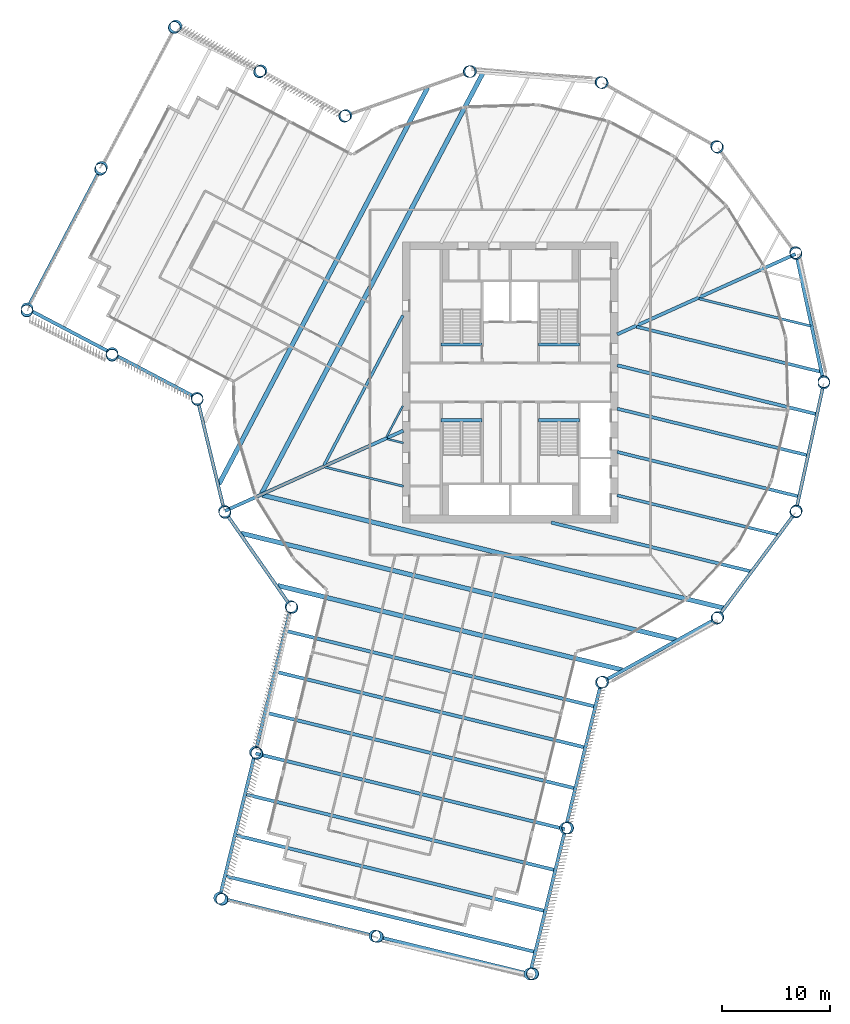
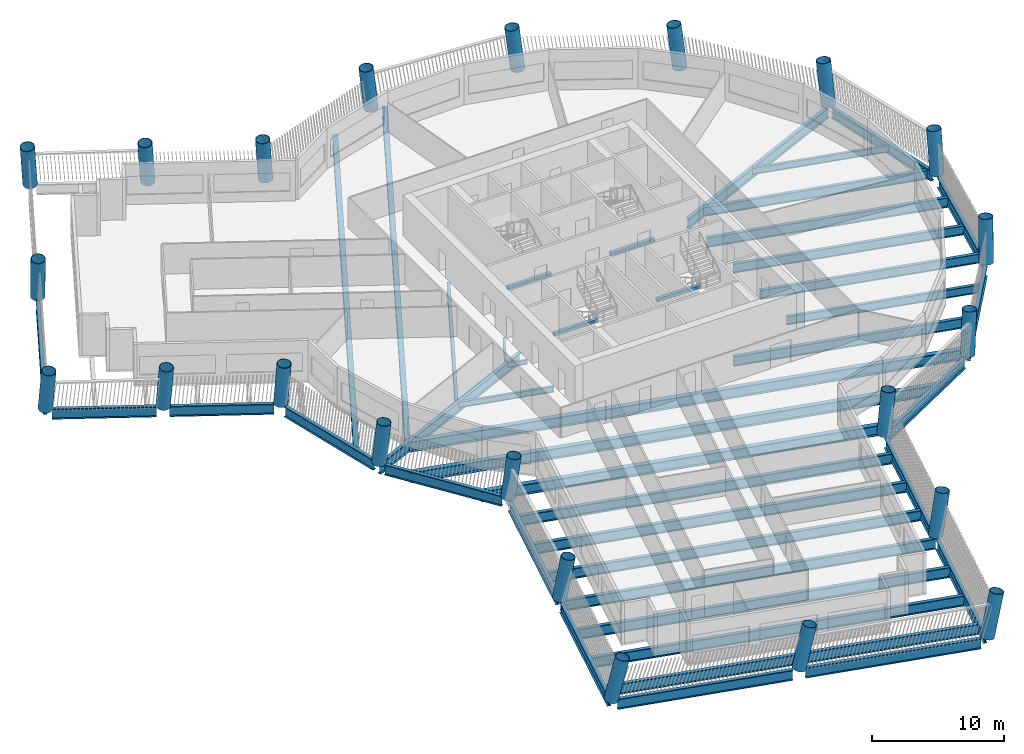
# One storey, part 1 of 15: 44 beams, 22 columns.
"""IFC4 building model written with IfcOpenShell, lengths in metres."""

from ifc_helpers import new_model, si_unit, direction, frame, origin, origin_2d, place, context, subcontext, project, spatial, rectangle, hollow_circle, i_section, extrude, material, material_profile, profile_set, type_object, element, save


model = new_model("IFC4")

# Units and contexts
model_context = context("Model", 3, precision=1e-05, world=origin(), true_north=direction((0.0, 1.0)))
body_context = subcontext(model_context, "Body", "Model", "MODEL_VIEW")
ifc_project = project(units=[si_unit("LENGTHUNIT", "METRE"), si_unit("AREAUNIT", "SQUARE_METRE"), si_unit("VOLUMEUNIT", "CUBIC_METRE"), si_unit("PLANEANGLEUNIT", "RADIAN"), si_unit("MASSUNIT", "GRAM", prefix="KILO")], contexts=[model_context])

# Site, building, storey
site_placement = place(None, origin())
site = spatial("IfcSite", under=ifc_project, at=site_placement, CompositionType="ELEMENT")
building_placement = place(site_placement, origin())
building = spatial("IfcBuilding", under=site, at=building_placement, Name="Tarsis Ring Headquarters", CompositionType="ELEMENT")
storey_placement = place(building_placement, frame((0.0, 0.0, 167.10009765625)))
storey = spatial("IfcBuildingStorey", under=building, at=storey_placement, Name="L38", CompositionType="ELEMENT", Elevation=167.10009765625)

# Columns
ifc_material_1 = material(Name="Structural steel S355", Category="steel")
ifc_material_profile_1 = material_profile(ifc_material_1, hollow_circle(Radius=0.558837890625, WallThickness=0.044921875, at=origin_2d()), Name="CHS 1118x45")
ifc_profile_set_1 = profile_set([ifc_material_profile_1], Name="Structural steel S355")
column_type = type_object("IfcColumnType", Name="XC Exo column CHS 1118x45", PredefinedType="COLUMN", material=ifc_profile_set_1)
for number, where, z_axis, x_axis, name in (
    (1, (-26.4873046875, -11.92626953125, 0.0009765625), (0.048522950514, -0.105568521823, 0.993227471667), (0.908616445737, 0.417631601458, 0.0), "Exo column XC4 F1"),
    (2, (-20.320556640625, -20.758056640625, 0.0009765625), (0.083670915239, -0.080622681152, 0.99322664142), (0.693868003591, 0.720102210517, 0.0), "Exo column XC4 AK"),
):
    element("IfcColumn", number, at=place(storey_placement, frame(where, z_axis=z_axis, x_axis=x_axis)), inside=storey, type_object=column_type, Name=name, PredefinedType="COLUMN", context=body_context, shape_type="SweptSolid", body=[
        extrude(hollow_circle(Radius=0.558837890625, WallThickness=0.044921875, at=origin_2d()), origin(), (0.0, 0.0, 1.0), 3.924560546875),
    ])
column_1_placement = place(storey_placement, frame((-23.627197265625, -34.26123046875, 0.001220703125), z_axis=(0.136840147335, -0.092791829028, 0.986237522376), x_axis=(0.561236401403, 0.827655545345, 0.0)))
element("IfcColumn", 3, at=column_1_placement, inside=storey, type_object=column_type, Name="Exo column XC4 AI1", PredefinedType="COLUMN", context=body_context, shape_type="SweptSolid", body=[
    extrude(hollow_circle(Radius=0.558837890625, WallThickness=0.044921875, at=origin_2d()), origin(), (0.0, 0.0, 1.0), 3.951904296875),
])
column_2_placement = place(storey_placement, frame((-26.93359375, -47.7646484375, 0.00146484375), z_axis=(0.188674703369, -0.104431815386, 0.976471122074), x_axis=(0.484269349791, 0.874918965878, 0.0)))
element("IfcColumn", 4, at=column_2_placement, inside=storey, type_object=column_type, Name="Exo column XC4 AT1", PredefinedType="COLUMN", context=body_context, shape_type="SweptSolid", body=[
    extrude(hollow_circle(Radius=0.558837890625, WallThickness=0.044921875, at=origin_2d()), origin(), (0.0, 0.0, 1.0), 3.99072265625),
])
column_3_placement = place(storey_placement, frame((-12.558349609375, -51.28466796875, 0.00146484375), z_axis=(0.202403241939, -0.047919871389, 0.97812913952), x_axis=(0.230385630754, 0.973099409692, 0.0)))
element("IfcColumn", 5, at=column_3_placement, inside=storey, type_object=column_type, Name="Exo column XC4 AT2", PredefinedType="COLUMN", context=body_context, shape_type="SweptSolid", body=[
    extrude(hollow_circle(Radius=0.558837890625, WallThickness=0.044921875, at=origin_2d()), origin(), (0.0, 0.0, 1.0), 3.984130859375),
])
column_4_placement = place(storey_placement, frame((1.81689453125, -54.804931640625, 0.00146484375), z_axis=(0.215470672551, 0.008870882317, 0.97647001834), x_axis=(-0.041134943782, 0.999153600004, 0.0)))
element("IfcColumn", 6, at=column_4_placement, inside=storey, type_object=column_type, Name="Exo column XC4 AT3", PredefinedType="COLUMN", context=body_context, shape_type="SweptSolid", body=[
    extrude(hollow_circle(Radius=0.558837890625, WallThickness=0.044921875, at=origin_2d()), origin(), (0.0, 0.0, 1.0), 3.99072265625),
])
column_5_placement = place(storey_placement, frame((5.12353515625, -41.3017578125, 0.001220703125), z_axis=(0.163839355906, 0.021684620635, 0.986248671829), x_axis=(-0.131208719028, 0.99135476599, 0.0)))
element("IfcColumn", 7, at=column_5_placement, inside=storey, type_object=column_type, Name="Exo column XC4 AO1", PredefinedType="COLUMN", context=body_context, shape_type="SweptSolid", body=[
    extrude(hollow_circle(Radius=0.558837890625, WallThickness=0.044921875, at=origin_2d()), origin(), (0.0, 0.0, 1.0), 3.951904296875),
])
for number, where, z_axis, x_axis, name in (
    (8, (8.429931640625, -27.79833984375, 0.0009765625), (0.11097992765, 0.034587914671, 0.99322058568), (-0.297543596917, 0.954708231835, 0.0), "Exo column XC4 AJ"),
    (9, (19.138916015625, -21.852294921875, 0.0009765625), (0.086781366917, 0.077263410545, 0.993226741357), (-0.664961792593, 0.746877375739, 0.0), "Exo column XC4 R1"),
    (10, (26.444580078125, -12.020751953125, 0.0009765625), (0.047278475892, 0.106189945195, 0.993221244868), (-0.91354652467, 0.406734246485, 0.0), "Exo column XC4 R2"),
    (11, (29.048583984375, -0.0517578125, 0.0009765625), (-0.000746504968, 0.116205940011, 0.993224859856), (-0.999979366861, -0.006423850322, 0.0), "Exo column XC4 R3"),
    (12, (26.4873046875, 11.92626953125, 0.0009765625), (-0.048522950514, 0.105568521823, 0.993227471667), (-0.908616445737, -0.417631601458, 0.0), "Exo column XC4 R4"),
    (13, (19.216796875, 21.783935546875, 0.0009765625), (-0.087776622478, 0.076143576126, 0.993225765051), (-0.655276956968, -0.755388714283, 0.0), "Exo column XC4 R5"),
    (14, (8.529296875, 27.76806640625, 0.0009765625), (-0.111353494612, 0.033281631071, 0.993223405016), (-0.28636560092, -0.958120421769, 0.0), "Exo column XC4 R6"),
    (15, (-3.6748046875, 28.815185546875, 0.0009765625), (-0.115148472854, -0.015614406638, 0.993225563256), (0.134372582866, -0.990930880018, 0.0), "Exo column XC4 R7"),
    (16, (-15.225341796875, 24.73876953125, 0.0009765625), (-0.098476373661, -0.061711031378, 0.993224119943), (0.531009001326, -0.847366178527, 0.0), "Exo column XC4 BJ"),
):
    element("IfcColumn", number, at=place(storey_placement, frame(where, z_axis=z_axis, x_axis=x_axis)), inside=storey, type_object=column_type, Name=name, PredefinedType="COLUMN", context=body_context, shape_type="SweptSolid", body=[
        extrude(hollow_circle(Radius=0.558837890625, WallThickness=0.044921875, at=origin_2d()), origin(), (0.0, 0.0, 1.0), 3.924560546875),
    ])
column_6_placement = place(storey_placement, frame((-23.10302734375, 28.885009765625, 0.0009765625), z_axis=(-0.11436559003, -0.092929786048, 0.989082689507), x_axis=(0.630624279436, -0.776088279892, 0.0)))
element("IfcColumn", 17, at=column_6_placement, inside=storey, type_object=column_type, Name="Exo column XC4 BO1", PredefinedType="COLUMN", context=body_context, shape_type="SweptSolid", body=[
    extrude(hollow_circle(Radius=0.558837890625, WallThickness=0.044921875, at=origin_2d()), origin(), (0.0, 0.0, 1.0), 3.940673828125),
])
column_7_placement = place(storey_placement, frame((-30.980712890625, 33.03125, 0.001220703125), z_axis=(-0.129912478992, -0.12374964792, 0.983772723977), x_axis=(0.68972378522, -0.724072579305, 0.0)))
element("IfcColumn", 18, at=column_7_placement, inside=storey, type_object=column_type, Name="Exo column XC4 BT3", PredefinedType="COLUMN", context=body_context, shape_type="SweptSolid", body=[
    extrude(hollow_circle(Radius=0.558837890625, WallThickness=0.044921875, at=origin_2d()), origin(), (0.0, 0.0, 1.0), 3.96142578125),
])
column_8_placement = place(storey_placement, frame((-37.8740234375, 19.934814453125, 0.001220703125), z_axis=(-0.077964837392, -0.15099128445, 0.985455791069), x_axis=(0.888539453871, -0.458800216778, 0.0)))
element("IfcColumn", 19, at=column_8_placement, inside=storey, type_object=column_type, Name="Exo column XC4 BT2", PredefinedType="COLUMN", context=body_context, shape_type="SweptSolid", body=[
    extrude(hollow_circle(Radius=0.558837890625, WallThickness=0.044921875, at=origin_2d()), origin(), (0.0, 0.0, 1.0), 3.955078125),
])
column_9_placement = place(storey_placement, frame((-44.767333984375, 6.838134765625, 0.001220703125), z_axis=(-0.025698806211, -0.177611413669, 0.983765092435), x_axis=(0.989693775618, -0.14319996684, 0.0)))
element("IfcColumn", 20, at=column_9_placement, inside=storey, type_object=column_type, Name="Exo column XC4 BT1", PredefinedType="COLUMN", context=body_context, shape_type="SweptSolid", body=[
    extrude(hollow_circle(Radius=0.558837890625, WallThickness=0.044921875, at=origin_2d()), origin(), (0.0, 0.0, 1.0), 3.96142578125),
])
column_10_placement = place(storey_placement, frame((-36.8896484375, 2.691650390625, 0.0009765625), z_axis=(-0.009602791773, -0.147015644367, 0.989087552597), x_axis=(0.997873570647, -0.065179268205, 0.0)))
element("IfcColumn", 21, at=column_10_placement, inside=storey, type_object=column_type, Name="Exo column XC4 BI1", PredefinedType="COLUMN", context=body_context, shape_type="SweptSolid", body=[
    extrude(hollow_circle(Radius=0.558837890625, WallThickness=0.044921875, at=origin_2d()), origin(), (0.0, 0.0, 1.0), 3.940673828125),
])
column_11_placement = place(storey_placement, frame((-29.011962890625, -1.45458984375, 0.0009765625), z_axis=(0.006718540538, -0.116019241707, 0.993224242942), x_axis=(0.99832748803, 0.057811993945, 0.0)))
element("IfcColumn", 22, at=column_11_placement, inside=storey, type_object=column_type, Name="Exo column XC4 BK", PredefinedType="COLUMN", context=body_context, shape_type="SweptSolid", body=[
    extrude(hollow_circle(Radius=0.558837890625, WallThickness=0.044921875, at=origin_2d()), origin(), (0.0, 0.0, 1.0), 3.924560546875),
])

# Beams
ifc_material_profile_2 = material_profile(ifc_material_1, i_section(OverallWidth=0.177734375, OverallDepth=0.406494140625, WebThickness=0.0078125, FlangeThickness=0.0126953125, at=origin_2d()), Name="W16x40")
ifc_profile_set_2 = profile_set([ifc_material_profile_2], Name="Structural steel S355")
beam_type_1 = type_object("IfcBeamType", Name="FB Floor beam W16x40", PredefinedType="JOIST", material=ifc_profile_set_2)
beam_1_placement = place(storey_placement, frame((-11.405029296875, -5.237548828125, -0.36328125), z_axis=(0.971292101198, -0.237890004308, 0.0), x_axis=(0.237890004308, 0.971292101198, 0.0)))
element("IfcBeam", 23, at=beam_1_placement, inside=storey, type_object=beam_type_1, Name="Floor beam FB1", PredefinedType="JOIST", context=body_context, shape_type="SweptSolid", body=[
    extrude(i_section(OverallWidth=0.177734375, OverallDepth=0.406494140625, WebThickness=0.0078125, FlangeThickness=0.0126953125, at=origin_2d()), origin(), (0.0, 0.0, 1.0), 1.546630859375),
])
beam_2_placement = place(storey_placement, frame((-9.953369140625, -2.163818359375, -0.36328125), z_axis=(-0.465777098507, -0.884902081875, 0.0), x_axis=(0.884902081875, -0.465777098507, 0.0)))
element("IfcBeam", 24, at=beam_2_placement, inside=storey, type_object=beam_type_1, Name="Floor beam FB1", PredefinedType="JOIST", context=body_context, shape_type="SweptSolid", body=[
    extrude(i_section(OverallWidth=0.177734375, OverallDepth=0.406494140625, WebThickness=0.0078125, FlangeThickness=0.0126953125, at=origin_2d()), origin(), (0.0, 0.0, 1.0), 3.28125),
])
ifc_material_profile_3 = material_profile(ifc_material_1, i_section(OverallWidth=0.209228515625, OverallDepth=0.533447265625, WebThickness=0.01025390625, FlangeThickness=0.015625, at=origin_2d()), Name="W21x62")
ifc_profile_set_3 = profile_set([ifc_material_profile_3], Name="Structural steel S355")
beam_type_2 = type_object("IfcBeamType", Name="FB Floor beam W21x62", PredefinedType="JOIST", material=ifc_profile_set_3)
beam_3_placement = place(storey_placement, frame((-17.18115234375, -7.83837890625, -0.4267578125), z_axis=(0.971304070672, -0.237841128267, 0.0), x_axis=(0.237841128267, 0.971304070672, 0.0)))
element("IfcBeam", 25, at=beam_3_placement, inside=storey, type_object=beam_type_2, Name="Floor beam FB3", PredefinedType="JOIST", context=body_context, shape_type="SweptSolid", body=[
    extrude(i_section(OverallWidth=0.209228515625, OverallDepth=0.533447265625, WebThickness=0.01025390625, FlangeThickness=0.015625, at=origin_2d()), origin(), (0.0, 0.0, 1.0), 7.493408203125),
])
ifc_material_profile_4 = material_profile(ifc_material_1, i_section(OverallWidth=0.228271484375, OverallDepth=0.607177734375, WebThickness=0.01123046875, FlangeThickness=0.017333984375, at=origin_2d()), Name="W24x76")
ifc_profile_set_4 = profile_set([ifc_material_profile_4], Name="Structural steel S355")
beam_type_3 = type_object("IfcBeamType", Name="FB Floor beam W24x76", PredefinedType="JOIST", material=ifc_profile_set_4)
beam_4_placement = place(storey_placement, frame((17.475830078125, 7.76611328125, -0.463623046875), z_axis=(0.971303237039, -0.237844532661, 0.0), x_axis=(0.237844532661, 0.971303237039, 0.0)))
element("IfcBeam", 26, at=beam_4_placement, inside=storey, type_object=beam_type_3, Name="Floor beam FB4", PredefinedType="JOIST", context=body_context, shape_type="SweptSolid", body=[
    extrude(i_section(OverallWidth=0.228271484375, OverallDepth=0.607177734375, WebThickness=0.01123046875, FlangeThickness=0.017333984375, at=origin_2d()), origin(), (0.0, 0.0, 1.0), 10.6845703125),
])
ifc_material_profile_5 = material_profile(ifc_material_1, i_section(OverallWidth=0.2666015625, OverallDepth=0.7568359375, WebThickness=0.013916015625, FlangeThickness=0.019287109375, at=origin_2d()), Name="W30x108")
ifc_profile_set_5 = profile_set([ifc_material_profile_5], Name="Structural steel S355")
beam_type_4 = type_object("IfcBeamType", Name="FB Floor beam W30x108", PredefinedType="JOIST", material=ifc_profile_set_5)
beam_5_placement = place(storey_placement, frame((9.90283203125, -10.45556640625, -0.53857421875), z_axis=(0.97130136024, -0.237852196953, 0.0), x_axis=(0.237852196953, 0.97130136024, 0.0)))
element("IfcBeam", 27, at=beam_5_placement, inside=storey, type_object=beam_type_4, Name="Floor beam FB6", PredefinedType="JOIST", context=body_context, shape_type="SweptSolid", body=[
    extrude(i_section(OverallWidth=0.2666015625, OverallDepth=0.7568359375, WebThickness=0.013916015625, FlangeThickness=0.019287109375, at=origin_2d()), origin(), (0.0, 0.0, 1.0), 15.353515625),
])
beam_6_placement = place(storey_placement, frame((-9.953369140625, 6.20947265625, -0.53857421875), z_axis=(-0.465772739154, -0.88490437645, 0.0), x_axis=(0.88490437645, -0.465772739154, 0.0)))
element("IfcBeam", 28, at=beam_6_placement, inside=storey, type_object=beam_type_4, Name="Floor beam FB6", PredefinedType="JOIST", context=body_context, shape_type="SweptSolid", body=[
    extrude(i_section(OverallWidth=0.2666015625, OverallDepth=0.7568359375, WebThickness=0.013916015625, FlangeThickness=0.019287109375, at=origin_2d()), origin(), (0.0, 0.0, 1.0), 15.682373046875),
])
ifc_material_profile_6 = material_profile(ifc_material_1, i_section(OverallWidth=0.2919921875, OverallDepth=0.835693359375, WebThickness=0.013916015625, FlangeThickness=0.018798828125, at=origin_2d()), Name="W33x118")
ifc_profile_set_6 = profile_set([ifc_material_profile_6], Name="Structural steel S355")
beam_type_5 = type_object("IfcBeamType", Name="FB Floor beam W33x118", PredefinedType="JOIST", material=ifc_profile_set_6)
beam_7_placement = place(storey_placement, frame((11.69970703125, 5.16552734375, -0.577880859375), z_axis=(0.971300457468, -0.237855883514, 0.0), x_axis=(0.237855883514, 0.971300457468, 0.0)))
element("IfcBeam", 29, at=beam_7_placement, inside=storey, type_object=beam_type_5, Name="Floor beam FB7", PredefinedType="JOIST", context=body_context, shape_type="SweptSolid", body=[
    extrude(i_section(OverallWidth=0.2919921875, OverallDepth=0.835693359375, WebThickness=0.013916015625, FlangeThickness=0.018798828125, at=origin_2d()), origin(), (0.0, 0.0, 1.0), 17.564208984375),
])
beam_8_placement = place(storey_placement, frame((9.90283203125, -2.425048828125, -0.577880859375), z_axis=(0.971301179425, -0.237852935336, 0.0), x_axis=(0.237852935336, 0.971301179425, 0.0)))
element("IfcBeam", 30, at=beam_8_placement, inside=storey, type_object=beam_type_5, Name="Floor beam FB7", PredefinedType="JOIST", context=body_context, shape_type="SweptSolid", body=[
    extrude(i_section(OverallWidth=0.2919921875, OverallDepth=0.835693359375, WebThickness=0.013916015625, FlangeThickness=0.018798828125, at=origin_2d()), origin(), (0.0, 0.0, 1.0), 18.154541015625),
])
beam_9_placement = place(storey_placement, frame((9.90283203125, -6.440185546875, -0.577880859375), z_axis=(0.971298376227, -0.237864382241, 0.0), x_axis=(0.237864382241, 0.971298376227, 0.0)))
element("IfcBeam", 31, at=beam_9_placement, inside=storey, type_object=beam_type_5, Name="Floor beam FB7", PredefinedType="JOIST", context=body_context, shape_type="SweptSolid", body=[
    extrude(i_section(OverallWidth=0.2919921875, OverallDepth=0.835693359375, WebThickness=0.013916015625, FlangeThickness=0.018798828125, at=origin_2d()), origin(), (0.0, 0.0, 1.0), 17.30078125),
])
ifc_material_profile_7 = material_profile(ifc_material_1, i_section(OverallWidth=0.3046875, OverallDepth=0.904296875, WebThickness=0.01513671875, FlangeThickness=0.02001953125, at=origin_2d()), Name="W36x135")
ifc_profile_set_7 = profile_set([ifc_material_profile_7], Name="Structural steel S355")
beam_type_6 = type_object("IfcBeamType", Name="FB Floor beam W36x135", PredefinedType="JOIST", material=ifc_profile_set_7)
beam_10_placement = place(storey_placement, frame((9.90283203125, 1.590087890625, -0.6123046875), z_axis=(0.971300763463, -0.23785463396, 0.0), x_axis=(0.23785463396, 0.971300763463, 0.0)))
element("IfcBeam", 32, at=beam_10_placement, inside=storey, type_object=beam_type_6, Name="Floor beam FB8", PredefinedType="JOIST", context=body_context, shape_type="SweptSolid", body=[
    extrude(i_section(OverallWidth=0.3046875, OverallDepth=0.904296875, WebThickness=0.01513671875, FlangeThickness=0.02001953125, at=origin_2d()), origin(), (0.0, 0.0, 1.0), 19.00830078125),
])
beam_11_placement = place(storey_placement, frame((3.7998046875, -12.976318359375, -0.6123046875), z_axis=(0.971303418383, -0.237843792094, 0.0), x_axis=(0.237843792094, 0.971303418383, 0.0)))
element("IfcBeam", 33, at=beam_11_placement, inside=storey, type_object=beam_type_6, Name="Floor beam FB8", PredefinedType="JOIST", context=body_context, shape_type="SweptSolid", body=[
    extrude(i_section(OverallWidth=0.3046875, OverallDepth=0.904296875, WebThickness=0.01513671875, FlangeThickness=0.02001953125, at=origin_2d()), origin(), (0.0, 0.0, 1.0), 19.0380859375),
])
ifc_material_profile_8 = material_profile(ifc_material_1, i_section(OverallWidth=0.309814453125, OverallDepth=0.949951171875, WebThickness=0.0244140625, FlangeThickness=0.0439453125, at=origin_2d()), Name="W36x256")
ifc_profile_set_8 = profile_set([ifc_material_profile_8], Name="Structural steel S355")
beam_type_7 = type_object("IfcBeamType", Name="FB Floor beam W36x256", PredefinedType="JOIST", material=ifc_profile_set_8)
for number, where, z_axis, x_axis, name in (
    (34, (-20.8154296875, -23.00927734375, -0.635009765625), (0.971300473398, -0.237855818463, 0.0), (0.237855818463, 0.971300473398, 0.0), "Floor beam FB11"),
    (35, (-21.742919921875, -26.79736328125, -0.635009765625), (0.971300473398, -0.237855818463, 0.0), (0.237855818463, 0.971300473398, 0.0), "Floor beam FB11"),
    (36, (-22.670654296875, -30.58544921875, -0.635009765625), (0.971300473398, -0.237855818463, 0.0), (0.237855818463, 0.971300473398, 0.0), "Floor beam FB11"),
):
    element("IfcBeam", number, at=place(storey_placement, frame(where, z_axis=z_axis, x_axis=x_axis)), inside=storey, type_object=beam_type_7, Name=name, PredefinedType="JOIST", context=body_context, shape_type="SweptSolid", body=[
        extrude(i_section(OverallWidth=0.309814453125, OverallDepth=0.949951171875, WebThickness=0.0244140625, FlangeThickness=0.0439453125, at=origin_2d()), origin(), (0.0, 0.0, 1.0), 29.490234375),
    ])
beam_12_placement = place(storey_placement, frame((-23.59814453125, -34.37353515625, -0.635009765625), z_axis=(0.971300005021, -0.237857731106, 0.0), x_axis=(0.237857731106, 0.971300005021, 0.0)))
element("IfcBeam", 37, at=beam_12_placement, inside=storey, type_object=beam_type_7, Name="Floor beam FB11", PredefinedType="JOIST", context=body_context, shape_type="SweptSolid", body=[
    extrude(i_section(OverallWidth=0.309814453125, OverallDepth=0.949951171875, WebThickness=0.0244140625, FlangeThickness=0.0439453125, at=origin_2d()), origin(), (0.0, 0.0, 1.0), 29.489990234375),
])
for number, where, z_axis, x_axis, name in (
    (38, (-24.52587890625, -38.16162109375, -0.635009765625), (0.971300473398, -0.237855818463, 0.0), (0.237855818463, 0.971300473398, 0.0), "Floor beam FB11"),
    (39, (-25.45361328125, -41.94970703125, -0.635009765625), (0.971300473398, -0.237855818463, 0.0), (0.237855818463, 0.971300473398, 0.0), "Floor beam FB11"),
    (40, (-26.381103515625, -45.73779296875, -0.635009765625), (0.971300473398, -0.237855818463, 0.0), (0.237855818463, 0.971300473398, 0.0), "Floor beam FB11"),
):
    element("IfcBeam", number, at=place(storey_placement, frame(where, z_axis=z_axis, x_axis=x_axis)), inside=storey, type_object=beam_type_7, Name=name, PredefinedType="JOIST", context=body_context, shape_type="SweptSolid", body=[
        extrude(i_section(OverallWidth=0.309814453125, OverallDepth=0.949951171875, WebThickness=0.0244140625, FlangeThickness=0.0439453125, at=origin_2d()), origin(), (0.0, 0.0, 1.0), 29.490234375),
    ])
beam_type_8 = type_object("IfcBeamType", Name="FB Floor beam W36x256 spine", PredefinedType="BEAM", material=ifc_profile_set_8)
beam_13_placement = place(storey_placement, frame((-9.908935546875, -4.46142578125, -0.635009765625), z_axis=(-0.911828223288, -0.410571907484, 0.0), x_axis=(0.410571907484, -0.911828223288, 0.0)))
element("IfcBeam", 41, at=beam_13_placement, inside=storey, type_object=beam_type_8, Name="Floor beam SB11", PredefinedType="BEAM", context=body_context, shape_type="SweptSolid", body=[
    extrude(i_section(OverallWidth=0.309814453125, OverallDepth=0.949951171875, WebThickness=0.0244140625, FlangeThickness=0.0439453125, at=origin_2d()), origin(), (0.0, 0.0, 1.0), 18.123779296875),
])
beam_14_placement = place(storey_placement, frame((26.43408203125, 11.902099609375, -0.635009765625), z_axis=(-0.911831497245, -0.410564636363, 0.0), x_axis=(0.410564636363, -0.911831497245, 0.0)))
element("IfcBeam", 42, at=beam_14_placement, inside=storey, type_object=beam_type_8, Name="Floor beam SB11", PredefinedType="BEAM", context=body_context, shape_type="SweptSolid", body=[
    extrude(i_section(OverallWidth=0.309814453125, OverallDepth=0.949951171875, WebThickness=0.0244140625, FlangeThickness=0.0439453125, at=origin_2d()), origin(), (0.0, 0.0, 1.0), 18.123046875),
])
ifc_material_profile_9 = material_profile(ifc_material_1, i_section(OverallWidth=0.42431640625, OverallDepth=0.947509765625, WebThickness=0.02392578125, FlangeThickness=0.042724609375, at=origin_2d()), Name="W36x302")
ifc_profile_set_9 = profile_set([ifc_material_profile_9], Name="Structural steel S355")
beam_type_9 = type_object("IfcBeamType", Name="FB Floor beam W36x302", PredefinedType="JOIST", material=ifc_profile_set_9)
beam_15_placement = place(storey_placement, frame((-22.957275390625, -10.43896484375, -0.6337890625), z_axis=(0.971299745433, -0.237858791139, 0.0), x_axis=(0.237858791139, 0.971299745433, 0.0)))
element("IfcBeam", 43, at=beam_15_placement, inside=storey, type_object=beam_type_9, Name="Floor beam FB12", PredefinedType="JOIST", context=body_context, shape_type="SweptSolid", body=[
    extrude(i_section(OverallWidth=0.42431640625, OverallDepth=0.947509765625, WebThickness=0.02392578125, FlangeThickness=0.042724609375, at=origin_2d()), origin(), (0.0, 0.0, 1.0), 43.98681640625),
])
beam_16_placement = place(storey_placement, frame((-24.955322265625, -13.965087890625, -0.6337890625), z_axis=(0.971300222452, -0.237856843216, 0.0), x_axis=(0.237856843216, 0.971300222452, 0.0)))
element("IfcBeam", 44, at=beam_16_placement, inside=storey, type_object=beam_type_9, Name="Floor beam FB12", PredefinedType="JOIST", context=body_context, shape_type="SweptSolid", body=[
    extrude(i_section(OverallWidth=0.42431640625, OverallDepth=0.947509765625, WebThickness=0.02392578125, FlangeThickness=0.042724609375, at=origin_2d()), origin(), (0.0, 0.0, 1.0), 41.523681640625),
])
beam_17_placement = place(storey_placement, frame((-21.5732421875, -18.808349609375, -0.6337890625), z_axis=(0.971300638027, -0.237855146188, 0.0), x_axis=(0.237855146188, 0.971300638027, 0.0)))
element("IfcBeam", 45, at=beam_17_placement, inside=storey, type_object=beam_type_9, Name="Floor beam FB12", PredefinedType="JOIST", context=body_context, shape_type="SweptSolid", body=[
    extrude(i_section(OverallWidth=0.42431640625, OverallDepth=0.947509765625, WebThickness=0.02392578125, FlangeThickness=0.042724609375, at=origin_2d()), origin(), (0.0, 0.0, 1.0), 32.87548828125),
])
beam_18_placement = place(storey_placement, frame((-2.54638671875, 28.6552734375, -0.6337890625), z_axis=(-0.465767706987, -0.884907025132, 0.0), x_axis=(0.884907025132, -0.465767706987, 0.0)))
element("IfcBeam", 46, at=beam_18_placement, inside=storey, type_object=beam_type_9, Name="Floor beam FB12", PredefinedType="JOIST", context=body_context, shape_type="SweptSolid", body=[
    extrude(i_section(OverallWidth=0.42431640625, OverallDepth=0.947509765625, WebThickness=0.02392578125, FlangeThickness=0.042724609375, at=origin_2d()), origin(), (0.0, 0.0, 1.0), 43.986572265625),
])
beam_19_placement = place(storey_placement, frame((-7.657958984375, 27.317138671875, -0.6337890625), z_axis=(-0.465766303303, -0.884907763955, 0.0), x_axis=(0.884907763955, -0.465766303303, 0.0)))
element("IfcBeam", 47, at=beam_19_placement, inside=storey, type_object=beam_type_9, Name="Floor beam FB12", PredefinedType="JOIST", context=body_context, shape_type="SweptSolid", body=[
    extrude(i_section(OverallWidth=0.42431640625, OverallDepth=0.947509765625, WebThickness=0.02392578125, FlangeThickness=0.042724609375, at=origin_2d()), origin(), (0.0, 0.0, 1.0), 41.523681640625),
])
ifc_material_2 = material(Name="Concrete C40/50", Category="concrete")
ifc_material_profile_10 = material_profile(ifc_material_2, rectangle(XDim=0.300048828125, YDim=0.300048828125, at=origin_2d()), Name="Stair head beam 300x300 C40/50")
ifc_profile_set_10 = profile_set([ifc_material_profile_10], Name="Concrete C40/50")
beam_type_10 = type_object("IfcBeamType", Name="Stair head beam 300x300 C40/50", PredefinedType="BEAM", material=ifc_profile_set_10)
for number, where, z_axis, x_axis, name in (
    (48, (-6.39990234375, 3.510009765625, -0.31005859375), (1.0, 0.0, 0.0), (0.0, 1.0, 0.0), "Stair head beam L38 Firefighting stair"),
    (49, (2.60009765625, 3.510009765625, -0.31005859375), (1.0, 0.0, 0.0), (0.0, 1.0, 0.0), "Stair head beam L38 Exit stair B"),
    (50, (-6.39990234375, -3.510009765625, -0.31005859375), (1.0, 0.0, 0.0), (0.0, 1.0, 0.0), "Stair head beam L38 Exit stair C"),
    (51, (2.60009765625, -3.510009765625, -0.31005859375), (1.0, 0.0, 0.0), (0.0, 1.0, 0.0), "Stair head beam L38 Exit stair D"),
):
    element("IfcBeam", number, at=place(storey_placement, frame(where, z_axis=z_axis, x_axis=x_axis)), inside=storey, type_object=beam_type_10, Name=name, PredefinedType="BEAM", context=body_context, shape_type="SweptSolid", body=[
        extrude(rectangle(XDim=0.300048828125, YDim=0.300048828125, at=origin_2d()), origin(), (0.0, 0.0, 1.0), 3.7998046875),
    ])
beam_type_11 = type_object("IfcBeamType", Name="XG Ring girder W36x256", PredefinedType="BEAM", material=ifc_profile_set_8)
beam_20_placement = place(storey_placement, frame((-26.199462890625, -12.33837890625, -0.47509765625), z_axis=(0.572507286541, -0.819899632185, 0.0), x_axis=(0.819899632185, 0.572507286541, 0.0)))
element("IfcBeam", 52, at=beam_20_placement, inside=storey, type_object=beam_type_11, Name="Ring girder XG2", PredefinedType="BEAM", context=body_context, shape_type="SweptSolid", body=[
    extrude(i_section(OverallWidth=0.309814453125, OverallDepth=0.949951171875, WebThickness=0.0244140625, FlangeThickness=0.0439453125, at=origin_2d()), origin(), (0.0, 0.0, 1.0), 9.765869140625),
])
beam_21_placement = place(storey_placement, frame((-20.440185546875, -21.246337890625, -0.47509765625), z_axis=(-0.237846860313, -0.971302667061, 0.0), x_axis=(0.971302667061, -0.237846860313, 0.0)))
element("IfcBeam", 53, at=beam_21_placement, inside=storey, type_object=beam_type_11, Name="Ring girder XG2", PredefinedType="BEAM", context=body_context, shape_type="SweptSolid", body=[
    extrude(i_section(OverallWidth=0.309814453125, OverallDepth=0.949951171875, WebThickness=0.0244140625, FlangeThickness=0.0439453125, at=origin_2d()), origin(), (0.0, 0.0, 1.0), 12.896484375),
])
beam_22_placement = place(storey_placement, frame((-23.746826171875, -34.749755859375, -0.47509765625), z_axis=(-0.237869093868, -0.971297222369, 0.0), x_axis=(0.971297222369, -0.237869093868, 0.0)))
element("IfcBeam", 54, at=beam_22_placement, inside=storey, type_object=beam_type_11, Name="Ring girder XG2", PredefinedType="BEAM", context=body_context, shape_type="SweptSolid", body=[
    extrude(i_section(OverallWidth=0.309814453125, OverallDepth=0.949951171875, WebThickness=0.0244140625, FlangeThickness=0.0439453125, at=origin_2d()), origin(), (0.0, 0.0, 1.0), 12.896240234375),
])
for number, where, z_axis, x_axis, name in (
    (55, (-26.445556640625, -47.884033203125, -0.47509765625), (0.971300399303, -0.237856121034, 0.0), (0.237856121034, 0.971300399303, 0.0), "Ring girder XG2"),
    (56, (-12.0703125, -51.404296875, -0.47509765625), (0.971300399303, -0.237856121034, 0.0), (0.237856121034, 0.971300399303, 0.0), "Ring girder XG2"),
):
    element("IfcBeam", number, at=place(storey_placement, frame(where, z_axis=z_axis, x_axis=x_axis)), inside=storey, type_object=beam_type_11, Name=name, PredefinedType="BEAM", context=body_context, shape_type="SweptSolid", body=[
        extrude(i_section(OverallWidth=0.309814453125, OverallDepth=0.949951171875, WebThickness=0.0244140625, FlangeThickness=0.0439453125, at=origin_2d()), origin(), (0.0, 0.0, 1.0), 13.794189453125),
    ])
beam_23_placement = place(storey_placement, frame((1.93603515625, -54.31640625, -0.47509765625), z_axis=(0.237869093868, 0.971297222369, 0.0), x_axis=(-0.971297222369, 0.237869093868, 0.0)))
element("IfcBeam", 57, at=beam_23_placement, inside=storey, type_object=beam_type_11, Name="Ring girder XG2", PredefinedType="BEAM", context=body_context, shape_type="SweptSolid", body=[
    extrude(i_section(OverallWidth=0.309814453125, OverallDepth=0.949951171875, WebThickness=0.0244140625, FlangeThickness=0.0439453125, at=origin_2d()), origin(), (0.0, 0.0, 1.0), 12.896240234375),
])
beam_24_placement = place(storey_placement, frame((5.242919921875, -40.813232421875, -0.47509765625), z_axis=(0.237846860313, 0.971302667061, 0.0), x_axis=(-0.971302667061, 0.237846860313, 0.0)))
element("IfcBeam", 58, at=beam_24_placement, inside=storey, type_object=beam_type_11, Name="Ring girder XG2", PredefinedType="BEAM", context=body_context, shape_type="SweptSolid", body=[
    extrude(i_section(OverallWidth=0.309814453125, OverallDepth=0.949951171875, WebThickness=0.0244140625, FlangeThickness=0.0439453125, at=origin_2d()), origin(), (0.0, 0.0, 1.0), 12.896484375),
])
for number, where, z_axis, x_axis, name in (
    (59, (8.86962890625, -27.55419921875, -0.47509765625), (0.874269925062, 0.485440107667, 0.0), (-0.485440107667, 0.874269925062, 0.0), "Ring girder XG2"),
    (60, (19.438720703125, -21.44873046875, -0.47509765625), (0.596446733977, 0.802652660575, 0.0), (-0.802652660575, 0.596446733977, 0.0), "Ring girder XG2"),
    (61, (26.551513671875, -11.529296875, -0.47509765625), (0.212591917529, 0.97714107303, 0.0), (-0.97714107303, 0.212591917529, 0.0), "Ring girder XG2"),
    (62, (28.943359375, 0.43994140625, -0.47509765625), (-0.209094554486, 0.977895427581, 0.0), (-0.977895427581, -0.209094554486, 0.0), "Ring girder XG2"),
):
    element("IfcBeam", number, at=place(storey_placement, frame(where, z_axis=z_axis, x_axis=x_axis)), inside=storey, type_object=beam_type_11, Name=name, PredefinedType="BEAM", context=body_context, shape_type="SweptSolid", body=[
        extrude(i_section(OverallWidth=0.309814453125, OverallDepth=0.949951171875, WebThickness=0.0244140625, FlangeThickness=0.0439453125, at=origin_2d()), origin(), (0.0, 0.0, 1.0), 11.242919921875),
    ])
beam_25_placement = place(storey_placement, frame((-38.108154296875, 19.489990234375, -0.47509765625), z_axis=(-0.465777798858, -0.884901713238, 0.0), x_axis=(0.884901713238, -0.465777798858, 0.0)))
element("IfcBeam", 63, at=beam_25_placement, inside=storey, type_object=beam_type_11, Name="Ring girder XG2", PredefinedType="BEAM", context=body_context, shape_type="SweptSolid", body=[
    extrude(i_section(OverallWidth=0.309814453125, OverallDepth=0.949951171875, WebThickness=0.0244140625, FlangeThickness=0.0439453125, at=origin_2d()), origin(), (0.0, 0.0, 1.0), 13.794189453125),
])
beam_26_placement = place(storey_placement, frame((-44.322265625, 6.60400390625, -0.47509765625), z_axis=(0.884914198268, -0.465754078569, 0.0), x_axis=(0.465754078569, 0.884914198268, 0.0)))
element("IfcBeam", 64, at=beam_26_placement, inside=storey, type_object=beam_type_11, Name="Ring girder XG2", PredefinedType="BEAM", context=body_context, shape_type="SweptSolid", body=[
    extrude(i_section(OverallWidth=0.309814453125, OverallDepth=0.949951171875, WebThickness=0.0244140625, FlangeThickness=0.0439453125, at=origin_2d()), origin(), (0.0, 0.0, 1.0), 7.896240234375),
])
beam_27_placement = place(storey_placement, frame((-36.444580078125, 2.457763671875, -0.47509765625), z_axis=(0.884901455047, -0.465778289378, 0.0), x_axis=(0.465778289378, 0.884901455047, 0.0)))
element("IfcBeam", 65, at=beam_27_placement, inside=storey, type_object=beam_type_11, Name="Ring girder XG2", PredefinedType="BEAM", context=body_context, shape_type="SweptSolid", body=[
    extrude(i_section(OverallWidth=0.309814453125, OverallDepth=0.949951171875, WebThickness=0.0244140625, FlangeThickness=0.0439453125, at=origin_2d()), origin(), (0.0, 0.0, 1.0), 7.896484375),
])
beam_28_placement = place(storey_placement, frame((-28.894287109375, -1.943359375, -0.47509765625), z_axis=(0.23439207878, -0.972142146707, 0.0), x_axis=(0.972142146707, 0.23439207878, 0.0)))
element("IfcBeam", 66, at=beam_28_placement, inside=storey, type_object=beam_type_11, Name="Ring girder XG2", PredefinedType="BEAM", context=body_context, shape_type="SweptSolid", body=[
    extrude(i_section(OverallWidth=0.309814453125, OverallDepth=0.949951171875, WebThickness=0.0244140625, FlangeThickness=0.0439453125, at=origin_2d()), origin(), (0.0, 0.0, 1.0), 9.765869140625),
])

save(model, "model.ifc")
